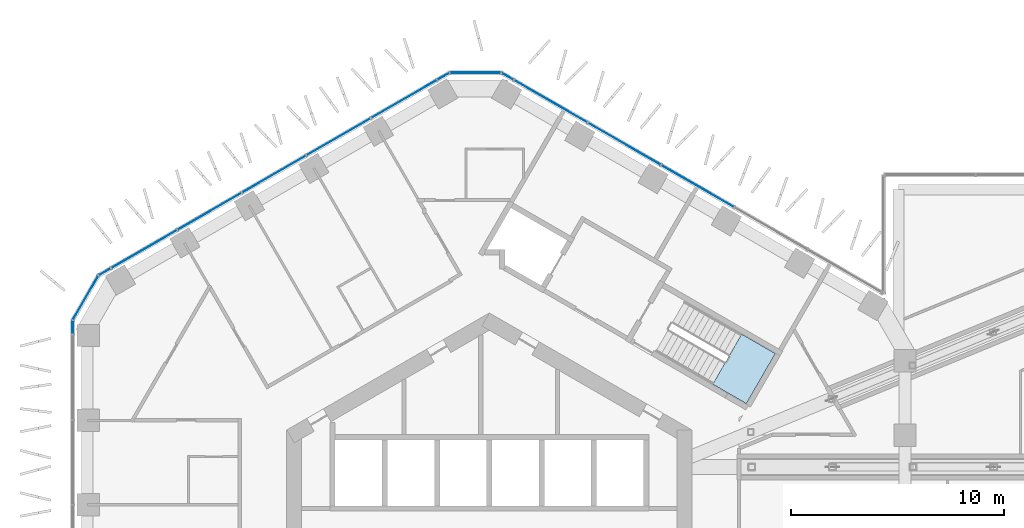
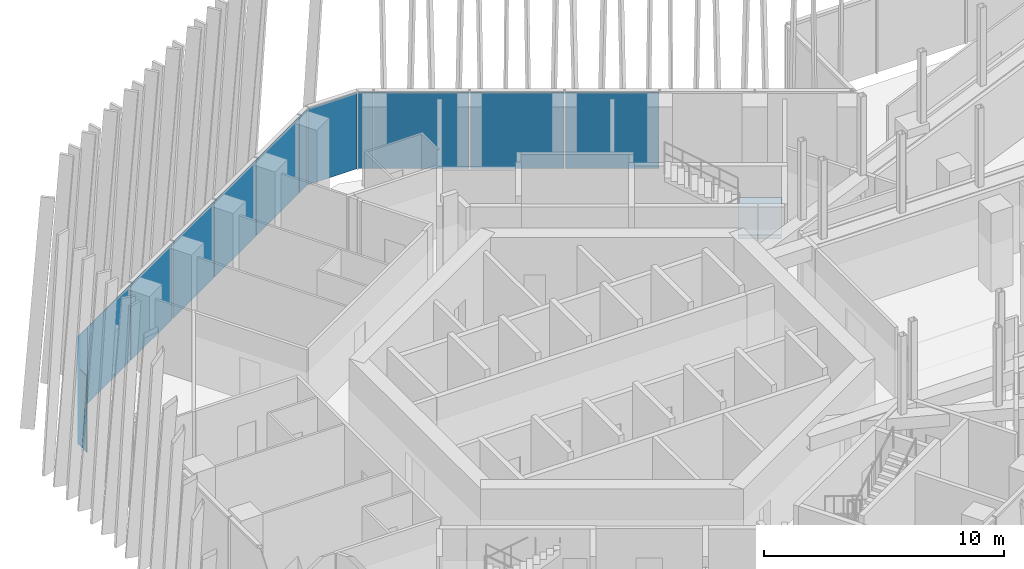
# One storey, part 17 of 28: 14 plates, 1 slab, 5 elements without a shape of their own.
"""IFC4 building model written with IfcOpenShell, lengths in metres."""

from ifc_helpers import new_model, si_unit, direction, frame, origin, origin_2d, place, context, subcontext, project, spatial, polyline, rectangle, outline, extrude, material, layer, layer_set, type_object, element, aggregate, save


model = new_model("IFC4")

# Units and contexts
model_context = context("Model", 3, precision=1e-05, world=origin(), true_north=direction((0.0, 1.0)))
body_context = subcontext(model_context, "Body", "Model", "MODEL_VIEW")
ifc_project = project(units=[si_unit("LENGTHUNIT", "METRE"), si_unit("AREAUNIT", "SQUARE_METRE"), si_unit("VOLUMEUNIT", "CUBIC_METRE"), si_unit("PLANEANGLEUNIT", "RADIAN"), si_unit("MASSUNIT", "GRAM", prefix="KILO")], contexts=[model_context])

# Site, building, storey
site_placement = place(None, origin())
site = spatial("IfcSite", under=ifc_project, at=site_placement, CompositionType="ELEMENT")
building_placement = place(site_placement, origin())
building = spatial("IfcBuilding", under=site, at=building_placement, Name="Ayvan Gate Tower", CompositionType="ELEMENT")
storey_placement = place(building_placement, frame((0.0, 0.0, 120.5)))
storey = spatial("IfcBuildingStorey", under=building, at=storey_placement, Name="L32", CompositionType="ELEMENT", Elevation=120.5)

# Stair, slab
ifc_material_1 = material(Name="Concrete C40/50", Category="concrete")
stair_type = type_object("IfcStairType", Name="ST-EXIT", PredefinedType="HALF_TURN_STAIR", material=ifc_material_1)
stair_placement = place(storey_placement, origin())
stair = element("IfcStair", 1, at=stair_placement, inside=storey, type_object=stair_type, Name="L32 Exit Stair S1", PredefinedType="HALF_TURN_STAIR")
ifc_layer_1 = layer(ifc_material_1, 0.199951171875)
ifc_layer_set_1 = layer_set([ifc_layer_1], Name="Concrete C40/50")
slab_type = type_object("IfcSlabType", Name="SL-LANDING-200", PredefinedType="LANDING", material=ifc_layer_set_1)
slab_placement = place(storey_placement, frame((0.0, 0.0, 1.800048828125)))
slab = element("IfcSlab", 2, at=slab_placement, type_object=slab_type, Name="STS1 landing 1", PredefinedType="LANDING", context=body_context, shape_type="SweptSolid", body=[
    extrude(outline(polyline([(10.473388671875, 7.630615234375), (12.049560546875, 6.720458984375), (13.404541015625, 9.0673828125), (11.828369140625, 9.9775390625), (10.473388671875, 7.630615234375)])), origin(), (0.0, 0.0, 1.0), 0.199951171875),
])
aggregate(stair, [slab])

# Curtain wall, plates
ifc_material_2 = material(Name="Bronze anodised aluminium", Category="aluminium")
ifc_layer_2 = layer(ifc_material_2, 0.199951171875)
ifc_layer_set_2 = layer_set([ifc_layer_2], Name="Bronze anodised aluminium")
curtain_wall_type_1 = type_object("IfcCurtainWallType", Name="Stick curtain wall CW-1", PredefinedType="NOTDEFINED", material=ifc_layer_set_2)
curtain_wall_1_placement = place(storey_placement, origin())
curtain_wall_1 = element("IfcCurtainWall", 3, at=curtain_wall_1_placement, inside=storey, type_object=curtain_wall_type_1, Name="Stick curtain wall CW-1 L32", PredefinedType="NOTDEFINED")
ifc_material_3 = material(Name="Clear low-iron laminated glass", Category="glass")
ifc_layer_3 = layer(ifc_material_3, 0.028076171875)
ifc_layer_set_3 = layer_set([ifc_layer_3], Name="Clear low-iron laminated glass")
plate_type_1 = type_object("IfcPlateType", Name="Stick curtain wall CW-1 glass panel", PredefinedType="CURTAIN_PANEL", material=ifc_layer_set_3)
plate_1_placement = place(storey_placement, frame((9.766357421875, 16.915771484375, 0.0), z_axis=(0.0, 0.0, 1.0), x_axis=(-0.866025403784, 0.5, 0.0)))
plate_1 = element("IfcPlate", 4, at=plate_1_placement, type_object=plate_type_1, Name="CW-1 glass panel 3", PredefinedType="CURTAIN_PANEL", context=body_context, shape_type="SweptSolid", body=[
    extrude(rectangle(XDim=3.906005859375, YDim=0.028076171875, at=origin_2d()), origin(), (0.0, 0.0, 1.0), 3.8798828125),
])
plate_2_placement = place(storey_placement, frame((6.331787109375, 18.89892578125, 0.0), z_axis=(0.0, 0.0, 1.0), x_axis=(-0.866025403784, 0.5, 0.0)))
plate_2 = element("IfcPlate", 5, at=plate_2_placement, type_object=plate_type_1, Name="CW-1 glass panel 4", PredefinedType="CURTAIN_PANEL", context=body_context, shape_type="SweptSolid", body=[
    extrude(rectangle(XDim=3.906005859375, YDim=0.028076171875, at=origin_2d()), origin(), (0.0, 0.0, 1.0), 3.8798828125),
])
plate_3_placement = place(storey_placement, frame((2.865966796875, 20.89990234375, 0.0), z_axis=(0.0, 0.0, 1.0), x_axis=(-0.866025403784, 0.5, 0.0)))
plate_3 = element("IfcPlate", 6, at=plate_3_placement, type_object=plate_type_1, Name="CW-1 glass panel 5", PredefinedType="CURTAIN_PANEL", context=body_context, shape_type="SweptSolid", body=[
    extrude(rectangle(XDim=3.97802734375, YDim=0.028076171875, at=origin_2d()), origin(), (0.0, 0.0, 1.0), 3.8798828125),
])
aggregate(curtain_wall_1, [plate_1, plate_2, plate_3])

curtain_wall_2_placement = place(storey_placement, origin())
curtain_wall_2 = element("IfcCurtainWall", 7, at=curtain_wall_2_placement, inside=storey, type_object=curtain_wall_type_1, Name="Stick curtain wall CW-1 L32", PredefinedType="NOTDEFINED")
plate_4_placement = place(storey_placement, frame((-3.991455078125, 21.00390625, 0.0), z_axis=(0.0, 0.0, 1.0), x_axis=(-0.866025403784, -0.5, 0.0)))
plate_4 = element("IfcPlate", 8, at=plate_4_placement, type_object=plate_type_1, Name="CW-1 glass panel 1", PredefinedType="CURTAIN_PANEL", context=body_context, shape_type="SweptSolid", body=[
    extrude(rectangle(XDim=3.56201171875, YDim=0.028076171875, at=origin_2d()), origin(), (0.0, 0.0, 1.0), 3.8798828125),
])
plate_5_placement = place(storey_placement, frame((-7.071044921875, 19.225830078125, 0.0), z_axis=(0.0, 0.0, 1.0), x_axis=(-0.866025403784, -0.5, 0.0)))
plate_5 = element("IfcPlate", 9, at=plate_5_placement, type_object=plate_type_1, Name="CW-1 glass panel 2", PredefinedType="CURTAIN_PANEL", context=body_context, shape_type="SweptSolid", body=[
    extrude(rectangle(XDim=3.429931640625, YDim=0.028076171875, at=origin_2d()), origin(), (0.0, 0.0, 1.0), 3.8798828125),
])
plate_6_placement = place(storey_placement, frame((-10.093017578125, 17.481201171875, 0.0), z_axis=(0.0, 0.0, 1.0), x_axis=(-0.866025403784, -0.5, 0.0)))
plate_6 = element("IfcPlate", 10, at=plate_6_placement, type_object=plate_type_1, Name="CW-1 glass panel 3", PredefinedType="CURTAIN_PANEL", context=body_context, shape_type="SweptSolid", body=[
    extrude(rectangle(XDim=3.428955078125, YDim=0.028076171875, at=origin_2d()), origin(), (0.0, 0.0, 1.0), 3.8798828125),
])
plate_7_placement = place(storey_placement, frame((-13.114990234375, 15.736328125, 0.0), z_axis=(0.0, 0.0, 1.0), x_axis=(-0.866025403784, -0.5, 0.0)))
plate_7 = element("IfcPlate", 11, at=plate_7_placement, type_object=plate_type_1, Name="CW-1 glass panel 4", PredefinedType="CURTAIN_PANEL", context=body_context, shape_type="SweptSolid", body=[
    extrude(rectangle(XDim=3.429931640625, YDim=0.028076171875, at=origin_2d()), origin(), (0.0, 0.0, 1.0), 3.8798828125),
])
plate_8_placement = place(storey_placement, frame((-16.1943359375, 13.95849609375, 0.0), z_axis=(0.0, 0.0, 1.0), x_axis=(-0.866025403784, -0.5, 0.0)))
plate_8 = element("IfcPlate", 12, at=plate_8_placement, type_object=plate_type_1, Name="CW-1 glass panel 5", PredefinedType="CURTAIN_PANEL", context=body_context, shape_type="SweptSolid", body=[
    extrude(rectangle(XDim=3.5615234375, YDim=0.028076171875, at=origin_2d()), origin(), (0.0, 0.0, 1.0), 3.8798828125),
])
aggregate(curtain_wall_2, [plate_4, plate_5, plate_6, plate_7, plate_8])

ifc_layer_4 = layer(ifc_material_2, 0.199951171875)
ifc_layer_set_4 = layer_set([ifc_layer_4], Name="Bronze anodised aluminium")
curtain_wall_type_2 = type_object("IfcCurtainWallType", Name="Stick curtain wall CW-6", PredefinedType="NOTDEFINED", material=ifc_layer_set_4)
curtain_wall_3_placement = place(storey_placement, origin())
curtain_wall_3 = element("IfcCurtainWall", 13, at=curtain_wall_3_placement, inside=storey, type_object=curtain_wall_type_2, Name="Stick curtain wall CW-6 L32", PredefinedType="NOTDEFINED")
ifc_layer_5 = layer(ifc_material_3, 0.028076171875)
ifc_layer_set_5 = layer_set([ifc_layer_5], Name="Clear low-iron laminated glass")
plate_type_2 = type_object("IfcPlateType", Name="Stick curtain wall CW-6 glass panel", PredefinedType="CURTAIN_PANEL", material=ifc_layer_set_5)
plate_9_placement = place(storey_placement, frame((0.8466796875, 22.065673828125, 0.0), z_axis=(0.0, 0.0, 1.0), x_axis=(-0.866025403784, 0.5, 0.0)))
plate_9 = element("IfcPlate", 14, at=plate_9_placement, type_object=plate_type_2, Name="CW-6 glass panel 1", PredefinedType="CURTAIN_PANEL", context=body_context, shape_type="SweptSolid", body=[
    extrude(rectangle(XDim=0.625, YDim=0.028076171875, at=origin_2d()), origin(), (0.0, 0.0, 1.0), 3.8798828125),
])
plate_10_placement = place(storey_placement, frame((-0.65283203125, 22.234375, 0.0), z_axis=(0.0, 0.0, 1.0), x_axis=(-1.0, 0.0, 0.0)))
plate_10 = element("IfcPlate", 15, at=plate_10_placement, type_object=plate_type_2, Name="CW-6 glass panel 2", PredefinedType="CURTAIN_PANEL", context=body_context, shape_type="SweptSolid", body=[
    extrude(rectangle(XDim=2.364501953125, YDim=0.028076171875, at=origin_2d()), origin(), (0.0, 0.0, 1.0), 3.8798828125),
])
plate_11_placement = place(storey_placement, frame((-2.15234375, 22.065673828125, 0.0), z_axis=(0.0, 0.0, 1.0), x_axis=(-0.866025403784, -0.5, 0.0)))
plate_11 = element("IfcPlate", 16, at=plate_11_placement, type_object=plate_type_2, Name="CW-6 glass panel 3", PredefinedType="CURTAIN_PANEL", context=body_context, shape_type="SweptSolid", body=[
    extrude(rectangle(XDim=0.625, YDim=0.028076171875, at=origin_2d()), origin(), (0.0, 0.0, 1.0), 3.8798828125),
])
aggregate(curtain_wall_3, [plate_9, plate_10, plate_11])

curtain_wall_4_placement = place(storey_placement, origin())
curtain_wall_4 = element("IfcCurtainWall", 17, at=curtain_wall_4_placement, inside=storey, type_object=curtain_wall_type_2, Name="Stick curtain wall CW-6 L32", PredefinedType="NOTDEFINED")
plate_12_placement = place(storey_placement, frame((-18.033203125, 12.896728515625, 0.0), z_axis=(0.0, 0.0, 1.0), x_axis=(-0.866025403784, -0.5, 0.0)))
plate_12 = element("IfcPlate", 18, at=plate_12_placement, type_object=plate_type_2, Name="CW-6 glass panel 1", PredefinedType="CURTAIN_PANEL", context=body_context, shape_type="SweptSolid", body=[
    extrude(rectangle(XDim=0.625, YDim=0.028076171875, at=origin_2d()), origin(), (0.0, 0.0, 1.0), 3.8798828125),
])
plate_13_placement = place(storey_placement, frame((-18.92919921875, 11.6826171875, 0.0), z_axis=(0.0, 0.0, 1.0), x_axis=(-0.5, -0.866025403784, 0.0)))
plate_13 = element("IfcPlate", 19, at=plate_13_placement, type_object=plate_type_2, Name="CW-6 glass panel 2", PredefinedType="CURTAIN_PANEL", context=body_context, shape_type="SweptSolid", body=[
    extrude(rectangle(XDim=2.364501953125, YDim=0.028076171875, at=origin_2d()), origin(), (0.0, 0.0, 1.0), 3.8798828125),
])
plate_14_placement = place(storey_placement, frame((-19.53271484375, 10.299560546875, 0.0), z_axis=(0.0, 0.0, 1.0), x_axis=(0.0, -1.0, 0.0)))
plate_14 = element("IfcPlate", 20, at=plate_14_placement, type_object=plate_type_2, Name="CW-6 glass panel 3", PredefinedType="CURTAIN_PANEL", context=body_context, shape_type="SweptSolid", body=[
    extrude(rectangle(XDim=0.625, YDim=0.028076171875, at=origin_2d()), origin(), (0.0, 0.0, 1.0), 3.8798828125),
])
aggregate(curtain_wall_4, [plate_12, plate_13, plate_14])

save(model, "model.ifc")
